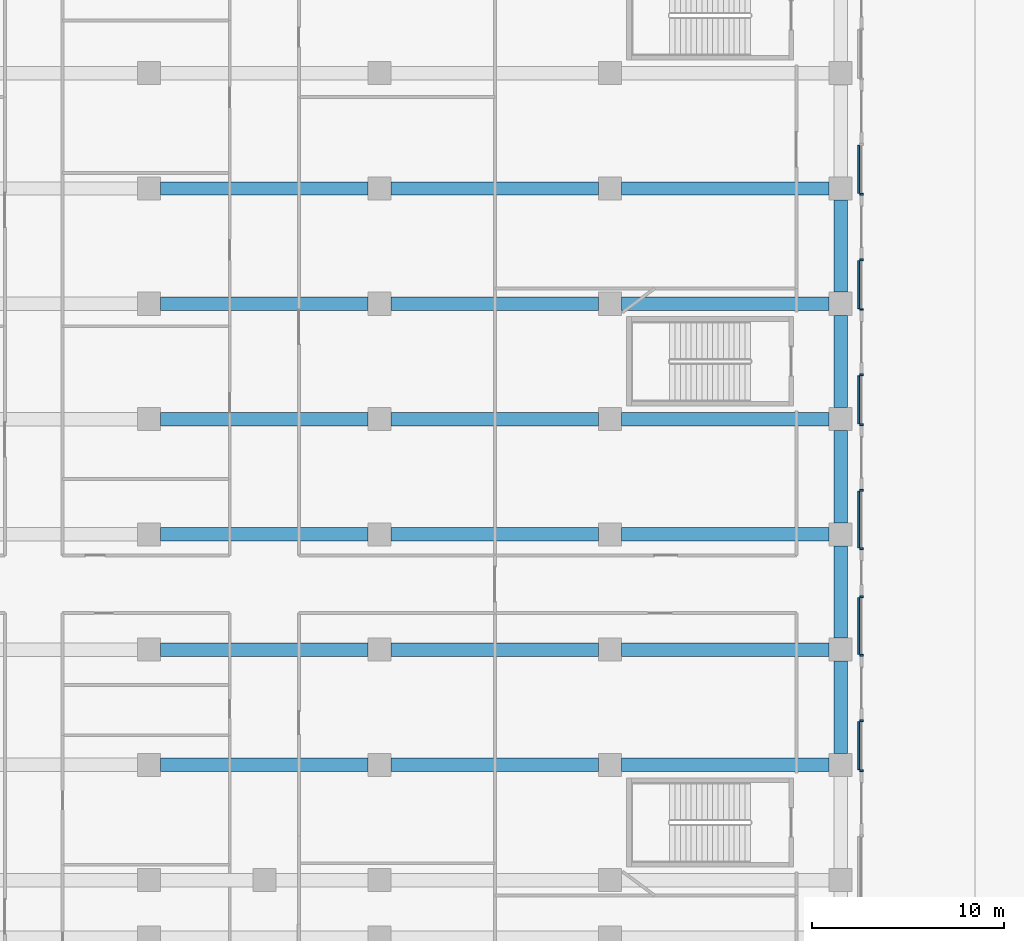
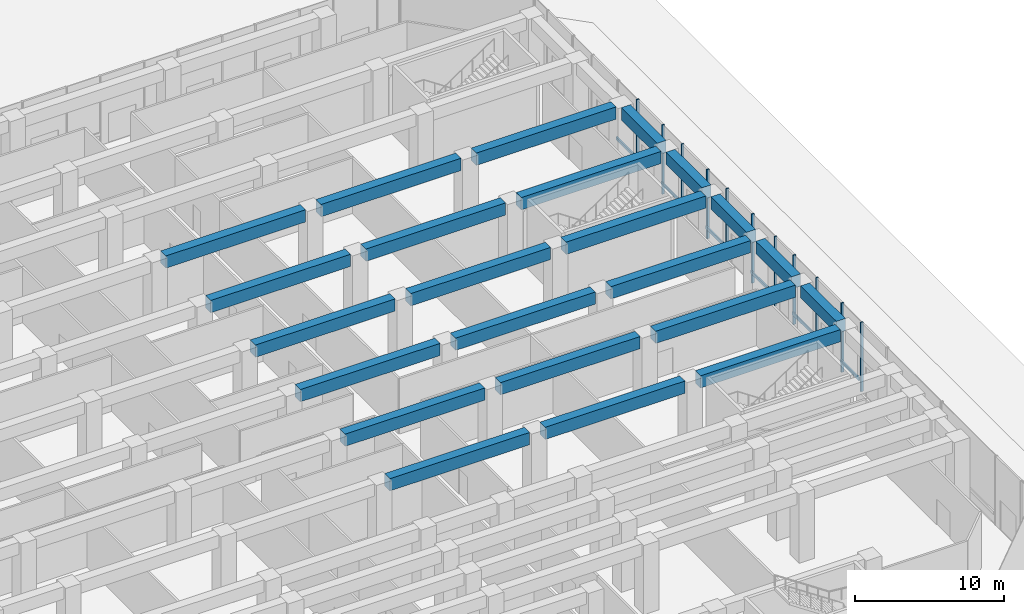
# One storey, part 11 of 32: 23 beams, 17 members, 6 elements without a shape of their own.
"""IFC4 building model written with IfcOpenShell, lengths in metres."""

from ifc_helpers import new_model, si_unit, direction, frame, origin, origin_2d, place, context, subcontext, project, spatial, rectangle, extrude, material, layer, layer_set, material_profile, profile_set, type_object, element, aggregate, save


model = new_model("IFC4")

# Units and contexts
model_context = context("Model", 3, precision=1e-05, world=origin(), true_north=direction((0.0, 1.0)))
body_context = subcontext(model_context, "Body", "Model", "MODEL_VIEW")
ifc_project = project(units=[si_unit("LENGTHUNIT", "METRE"), si_unit("AREAUNIT", "SQUARE_METRE"), si_unit("VOLUMEUNIT", "CUBIC_METRE"), si_unit("PLANEANGLEUNIT", "RADIAN"), si_unit("MASSUNIT", "GRAM", prefix="KILO")], contexts=[model_context])

# Site, building, storey
site_placement = place(None, origin())
site = spatial("IfcSite", under=ifc_project, at=site_placement, CompositionType="ELEMENT")
building_placement = place(site_placement, origin())
building = spatial("IfcBuilding", under=site, at=building_placement, Name="Welwitschia Terrace Campus", CompositionType="ELEMENT")
storey_placement = place(building_placement, origin())
storey = spatial("IfcBuildingStorey", under=building, at=storey_placement, Name="L00", CompositionType="ELEMENT", Elevation=0.0)

# Beams
ifc_material_1 = material(Name="Concrete C60/75", Category="concrete")
ifc_material_profile_1 = material_profile(ifc_material_1, rectangle(XDim=0.699951171875, YDim=1.0, at=origin_2d()))
ifc_profile_set_1 = profile_set([ifc_material_profile_1], Name="Concrete C60/75")
beam_type = type_object("IfcBeamType", Name="Base block beam 700x1000", PredefinedType="BEAM", material=ifc_profile_set_1)
for number, where, z_axis, x_axis, name in (
    (1, (60.6005859375, 20.0, 5.14990234375), (1.0, 0.0, 0.0), (0.0, 1.0, 0.0), "Beam BB1"),
    (2, (72.6005859375, 20.0, 5.14990234375), (1.0, 0.0, 0.0), (0.0, 1.0, 0.0), "Beam BB1"),
    (3, (84.6005859375, 20.0, 5.14990234375), (1.0, 0.0, 0.0), (0.0, 1.0, 0.0), "Beam BB1"),
    (4, (60.6005859375, 26.0, 5.14990234375), (1.0, 0.0, 0.0), (0.0, 1.0, 0.0), "Beam BB1"),
    (5, (72.6005859375, 26.0, 5.14990234375), (1.0, 0.0, 0.0), (0.0, 1.0, 0.0), "Beam BB1"),
    (6, (84.6005859375, 26.0, 5.14990234375), (1.0, 0.0, 0.0), (0.0, 1.0, 0.0), "Beam BB1"),
    (7, (60.6005859375, 32.0, 5.14990234375), (1.0, 0.0, 0.0), (0.0, 1.0, 0.0), "Beam BB1"),
    (8, (72.6005859375, 32.0, 5.14990234375), (1.0, 0.0, 0.0), (0.0, 1.0, 0.0), "Beam BB1"),
    (9, (84.6005859375, 32.0, 5.14990234375), (1.0, 0.0, 0.0), (0.0, 1.0, 0.0), "Beam BB1"),
    (10, (60.6005859375, 38.0, 5.14990234375), (1.0, 0.0, 0.0), (0.0, 1.0, 0.0), "Beam BB1"),
    (11, (72.6005859375, 38.0, 5.14990234375), (1.0, 0.0, 0.0), (0.0, 1.0, 0.0), "Beam BB1"),
    (12, (84.6005859375, 38.0, 5.14990234375), (1.0, 0.0, 0.0), (0.0, 1.0, 0.0), "Beam BB1"),
    (13, (60.6005859375, 44.0, 5.14990234375), (1.0, 0.0, 0.0), (0.0, 1.0, 0.0), "Beam BB1"),
    (14, (72.6005859375, 44.0, 5.14990234375), (1.0, 0.0, 0.0), (0.0, 1.0, 0.0), "Beam BB1"),
    (15, (84.6005859375, 44.0, 5.14990234375), (1.0, 0.0, 0.0), (0.0, 1.0, 0.0), "Beam BB1"),
    (16, (60.6005859375, 50.0, 5.14990234375), (1.0, 0.0, 0.0), (0.0, 1.0, 0.0), "Beam BB1"),
    (17, (72.6005859375, 50.0, 5.14990234375), (1.0, 0.0, 0.0), (0.0, 1.0, 0.0), "Beam BB1"),
    (18, (84.6005859375, 50.0, 5.14990234375), (1.0, 0.0, 0.0), (0.0, 1.0, 0.0), "Beam BB1"),
):
    element("IfcBeam", number, at=place(storey_placement, frame(where, z_axis=z_axis, x_axis=x_axis)), inside=storey, type_object=beam_type, Name=name, PredefinedType="BEAM", context=body_context, shape_type="SweptSolid", body=[
        extrude(rectangle(XDim=0.699951171875, YDim=1.0, at=origin_2d()), origin(), (0.0, 0.0, 1.0), 10.798828125),
    ])
for number, where, z_axis, x_axis, name in (
    (19, (96.0, 20.6005859375, 5.14990234375), (0.0, 1.0, 0.0), (-1.0, 0.0, 0.0), "Beam BB1"),
    (20, (96.0, 26.6005859375, 5.14990234375), (0.0, 1.0, 0.0), (-1.0, 0.0, 0.0), "Beam BB1"),
    (21, (96.0, 32.6005859375, 5.14990234375), (0.0, 1.0, 0.0), (-1.0, 0.0, 0.0), "Beam BB1"),
    (22, (96.0, 38.6005859375, 5.14990234375), (0.0, 1.0, 0.0), (-1.0, 0.0, 0.0), "Beam BB1"),
    (23, (96.0, 44.6005859375, 5.14990234375), (0.0, 1.0, 0.0), (-1.0, 0.0, 0.0), "Beam BB1"),
):
    element("IfcBeam", number, at=place(storey_placement, frame(where, z_axis=z_axis, x_axis=x_axis)), inside=storey, type_object=beam_type, Name=name, PredefinedType="BEAM", context=body_context, shape_type="SweptSolid", body=[
        extrude(rectangle(XDim=0.699951171875, YDim=1.0, at=origin_2d()), origin(), (0.0, 0.0, 1.0), 4.798828125),
    ])

# Curtain wall, members
ifc_material_2 = material(Name="Bronze anodised aluminium", Category="aluminium")
ifc_layer = layer(ifc_material_2, 0.199951171875)
ifc_layer_set = layer_set([ifc_layer], Name="Bronze anodised aluminium")
curtain_wall_type = type_object("IfcCurtainWallType", Name="Curtain wall CW4 arcade shopfront 7500", PredefinedType="NOTDEFINED", material=ifc_layer_set)
curtain_wall_1_placement = place(storey_placement, origin())
curtain_wall_1 = element("IfcCurtainWall", 24, at=curtain_wall_1_placement, inside=storey, type_object=curtain_wall_type, Name="CW L00.2.g2", PredefinedType="NOTDEFINED")
ifc_material_3 = material(Name="Bronze anodised aluminium", Category="aluminium")
ifc_material_profile_2 = material_profile(ifc_material_3, rectangle(XDim=0.199951171875, YDim=0.10009765625, at=origin_2d()))
ifc_profile_set_2 = profile_set([ifc_material_profile_2], Name="Bronze anodised aluminium")
member_type_1 = type_object("IfcMemberType", Name="Mullion 100x200", PredefinedType="MULLION", material=ifc_profile_set_2)
member_1_placement = place(storey_placement, frame((97.0849609375, 19.699951171875, 0.0), z_axis=(0.0, 0.0, 1.0), x_axis=(-1.0, 0.0, 0.0)))
member_1 = element("IfcMember", 25, at=member_1_placement, type_object=member_type_1, Name="Mullion L00.2.g2.0", PredefinedType="MULLION", context=body_context, shape_type="SweptSolid", body=[
    extrude(rectangle(XDim=0.199951171875, YDim=0.10009765625, at=origin_2d()), origin(), (0.0, 0.0, 1.0), 5.64990234375),
])
member_2_placement = place(storey_placement, frame((97.0849609375, 22.300048828125, 0.0), z_axis=(0.0, 0.0, 1.0), x_axis=(-1.0, 0.0, 0.0)))
member_2 = element("IfcMember", 26, at=member_2_placement, type_object=member_type_1, Name="Mullion L00.2.g2.1", PredefinedType="MULLION", context=body_context, shape_type="SweptSolid", body=[
    extrude(rectangle(XDim=0.199951171875, YDim=0.10009765625, at=origin_2d()), origin(), (0.0, 0.0, 1.0), 5.64990234375),
])

curtain_wall_2_placement = place(storey_placement, origin())
curtain_wall_2 = element("IfcCurtainWall", 27, at=curtain_wall_2_placement, inside=storey, type_object=curtain_wall_type, Name="CW L00.2.g3", PredefinedType="NOTDEFINED")
member_3_placement = place(storey_placement, frame((97.0849609375, 25.699951171875, 0.0), z_axis=(0.0, 0.0, 1.0), x_axis=(-1.0, 0.0, 0.0)))
member_3 = element("IfcMember", 28, at=member_3_placement, type_object=member_type_1, Name="Mullion L00.2.g3.0", PredefinedType="MULLION", context=body_context, shape_type="SweptSolid", body=[
    extrude(rectangle(XDim=0.199951171875, YDim=0.10009765625, at=origin_2d()), origin(), (0.0, 0.0, 1.0), 5.64990234375),
])
member_4_placement = place(storey_placement, frame((97.0849609375, 28.75, 0.0), z_axis=(0.0, 0.0, 1.0), x_axis=(-1.0, 0.0, 0.0)))
member_4 = element("IfcMember", 29, at=member_4_placement, type_object=member_type_1, Name="Mullion L00.2.g3.1", PredefinedType="MULLION", context=body_context, shape_type="SweptSolid", body=[
    extrude(rectangle(XDim=0.199951171875, YDim=0.10009765625, at=origin_2d()), origin(), (0.0, 0.0, 1.0), 5.64990234375),
])

curtain_wall_3_placement = place(storey_placement, origin())
curtain_wall_3 = element("IfcCurtainWall", 30, at=curtain_wall_3_placement, inside=storey, type_object=curtain_wall_type, Name="CW L00.2.g4", PredefinedType="NOTDEFINED")
member_5_placement = place(storey_placement, frame((97.0849609375, 31.25, 0.0), z_axis=(0.0, 0.0, 1.0), x_axis=(-1.0, 0.0, 0.0)))
member_5 = element("IfcMember", 31, at=member_5_placement, type_object=member_type_1, Name="Mullion L00.2.g4.0", PredefinedType="MULLION", context=body_context, shape_type="SweptSolid", body=[
    extrude(rectangle(XDim=0.199951171875, YDim=0.10009765625, at=origin_2d()), origin(), (0.0, 0.0, 1.0), 5.64990234375),
])
member_6_placement = place(storey_placement, frame((97.0849609375, 34.300048828125, 0.0), z_axis=(0.0, 0.0, 1.0), x_axis=(-1.0, 0.0, 0.0)))
member_6 = element("IfcMember", 32, at=member_6_placement, type_object=member_type_1, Name="Mullion L00.2.g4.1", PredefinedType="MULLION", context=body_context, shape_type="SweptSolid", body=[
    extrude(rectangle(XDim=0.199951171875, YDim=0.10009765625, at=origin_2d()), origin(), (0.0, 0.0, 1.0), 5.64990234375),
])

curtain_wall_4_placement = place(storey_placement, origin())
curtain_wall_4 = element("IfcCurtainWall", 33, at=curtain_wall_4_placement, inside=storey, type_object=curtain_wall_type, Name="CW L00.2.g5", PredefinedType="NOTDEFINED")
member_7_placement = place(storey_placement, frame((97.0849609375, 37.699951171875, 0.0), z_axis=(0.0, 0.0, 1.0), x_axis=(-1.0, 0.0, 0.0)))
member_7 = element("IfcMember", 34, at=member_7_placement, type_object=member_type_1, Name="Mullion L00.2.g5.0", PredefinedType="MULLION", context=body_context, shape_type="SweptSolid", body=[
    extrude(rectangle(XDim=0.199951171875, YDim=0.10009765625, at=origin_2d()), origin(), (0.0, 0.0, 1.0), 5.64990234375),
])
member_8_placement = place(storey_placement, frame((97.0849609375, 40.300048828125, 0.0), z_axis=(0.0, 0.0, 1.0), x_axis=(-1.0, 0.0, 0.0)))
member_8 = element("IfcMember", 35, at=member_8_placement, type_object=member_type_1, Name="Mullion L00.2.g5.1", PredefinedType="MULLION", context=body_context, shape_type="SweptSolid", body=[
    extrude(rectangle(XDim=0.199951171875, YDim=0.10009765625, at=origin_2d()), origin(), (0.0, 0.0, 1.0), 5.64990234375),
])

curtain_wall_5_placement = place(storey_placement, origin())
curtain_wall_5 = element("IfcCurtainWall", 36, at=curtain_wall_5_placement, inside=storey, type_object=curtain_wall_type, Name="CW L00.2.g6", PredefinedType="NOTDEFINED")
member_9_placement = place(storey_placement, frame((97.0849609375, 43.699951171875, 0.0), z_axis=(0.0, 0.0, 1.0), x_axis=(-1.0, 0.0, 0.0)))
member_9 = element("IfcMember", 37, at=member_9_placement, type_object=member_type_1, Name="Mullion L00.2.g6.0", PredefinedType="MULLION", context=body_context, shape_type="SweptSolid", body=[
    extrude(rectangle(XDim=0.199951171875, YDim=0.10009765625, at=origin_2d()), origin(), (0.0, 0.0, 1.0), 5.64990234375),
])
member_10_placement = place(storey_placement, frame((97.0849609375, 46.300048828125, 0.0), z_axis=(0.0, 0.0, 1.0), x_axis=(-1.0, 0.0, 0.0)))
member_10 = element("IfcMember", 38, at=member_10_placement, type_object=member_type_1, Name="Mullion L00.2.g6.1", PredefinedType="MULLION", context=body_context, shape_type="SweptSolid", body=[
    extrude(rectangle(XDim=0.199951171875, YDim=0.10009765625, at=origin_2d()), origin(), (0.0, 0.0, 1.0), 5.64990234375),
])

# Curtain wall, member
curtain_wall_6_placement = place(storey_placement, origin())
curtain_wall_6 = element("IfcCurtainWall", 39, at=curtain_wall_6_placement, inside=storey, type_object=curtain_wall_type, Name="CW L00.2.g7", PredefinedType="NOTDEFINED")
member_11_placement = place(storey_placement, frame((97.0849609375, 49.699951171875, 0.0), z_axis=(0.0, 0.0, 1.0), x_axis=(-1.0, 0.0, 0.0)))
member_11 = element("IfcMember", 40, at=member_11_placement, type_object=member_type_1, Name="Mullion L00.2.g7.0", PredefinedType="MULLION", context=body_context, shape_type="SweptSolid", body=[
    extrude(rectangle(XDim=0.199951171875, YDim=0.10009765625, at=origin_2d()), origin(), (0.0, 0.0, 1.0), 5.64990234375),
])

# Member
ifc_material_4 = material(Name="Bronze anodised aluminium", Category="aluminium")
ifc_material_profile_3 = material_profile(ifc_material_4, rectangle(XDim=0.10009765625, YDim=0.25, at=origin_2d()))
ifc_profile_set_3 = profile_set([ifc_material_profile_3], Name="Bronze anodised aluminium")
member_type_2 = type_object("IfcMemberType", Name="Transom 100x250", PredefinedType="USERDEFINED", material=ifc_profile_set_3)
member_12_placement = place(storey_placement, frame((96.93505859375, 19.75, 1.0), z_axis=(0.0, 1.0, 0.0), x_axis=(-1.0, 0.0, 0.0)))
member_12 = element("IfcMember", 41, at=member_12_placement, type_object=member_type_2, Name="Transom L00.2.g2", ObjectType="TRANSOM", PredefinedType="USERDEFINED", context=body_context, shape_type="SweptSolid", body=[
    extrude(rectangle(XDim=0.10009765625, YDim=0.25, at=origin_2d()), origin(), (0.0, 0.0, 1.0), 2.5),
])

aggregate(curtain_wall_1, [member_1, member_2, member_12])

member_13_placement = place(storey_placement, frame((96.93505859375, 25.75, 1.0), z_axis=(0.0, 1.0, 0.0), x_axis=(-1.0, 0.0, 0.0)))
member_13 = element("IfcMember", 42, at=member_13_placement, type_object=member_type_2, Name="Transom L00.2.g3", ObjectType="TRANSOM", PredefinedType="USERDEFINED", context=body_context, shape_type="SweptSolid", body=[
    extrude(rectangle(XDim=0.10009765625, YDim=0.25, at=origin_2d()), origin(), (0.0, 0.0, 1.0), 2.949951171875),
])

aggregate(curtain_wall_2, [member_3, member_4, member_13])

member_14_placement = place(storey_placement, frame((96.93505859375, 31.300048828125, 1.0), z_axis=(0.0, 1.0, 0.0), x_axis=(-1.0, 0.0, 0.0)))
member_14 = element("IfcMember", 43, at=member_14_placement, type_object=member_type_2, Name="Transom L00.2.g4", ObjectType="TRANSOM", PredefinedType="USERDEFINED", context=body_context, shape_type="SweptSolid", body=[
    extrude(rectangle(XDim=0.10009765625, YDim=0.25, at=origin_2d()), origin(), (0.0, 0.0, 1.0), 2.949951171875),
])

aggregate(curtain_wall_3, [member_5, member_6, member_14])

member_15_placement = place(storey_placement, frame((96.93505859375, 37.75, 1.0), z_axis=(0.0, 1.0, 0.0), x_axis=(-1.0, 0.0, 0.0)))
member_15 = element("IfcMember", 44, at=member_15_placement, type_object=member_type_2, Name="Transom L00.2.g5", ObjectType="TRANSOM", PredefinedType="USERDEFINED", context=body_context, shape_type="SweptSolid", body=[
    extrude(rectangle(XDim=0.10009765625, YDim=0.25, at=origin_2d()), origin(), (0.0, 0.0, 1.0), 2.5),
])

aggregate(curtain_wall_4, [member_7, member_8, member_15])

member_16_placement = place(storey_placement, frame((96.93505859375, 43.75, 1.0), z_axis=(0.0, 1.0, 0.0), x_axis=(-1.0, 0.0, 0.0)))
member_16 = element("IfcMember", 45, at=member_16_placement, type_object=member_type_2, Name="Transom L00.2.g6", ObjectType="TRANSOM", PredefinedType="USERDEFINED", context=body_context, shape_type="SweptSolid", body=[
    extrude(rectangle(XDim=0.10009765625, YDim=0.25, at=origin_2d()), origin(), (0.0, 0.0, 1.0), 2.5),
])

aggregate(curtain_wall_5, [member_9, member_10, member_16])

member_17_placement = place(storey_placement, frame((96.93505859375, 49.75, 1.0), z_axis=(0.0, 1.0, 0.0), x_axis=(-1.0, 0.0, 0.0)))
member_17 = element("IfcMember", 46, at=member_17_placement, type_object=member_type_2, Name="Transom L00.2.g7", ObjectType="TRANSOM", PredefinedType="USERDEFINED", context=body_context, shape_type="SweptSolid", body=[
    extrude(rectangle(XDim=0.10009765625, YDim=0.25, at=origin_2d()), origin(), (0.0, 0.0, 1.0), 2.5),
])

aggregate(curtain_wall_6, [member_11, member_17])

save(model, "model.ifc")
